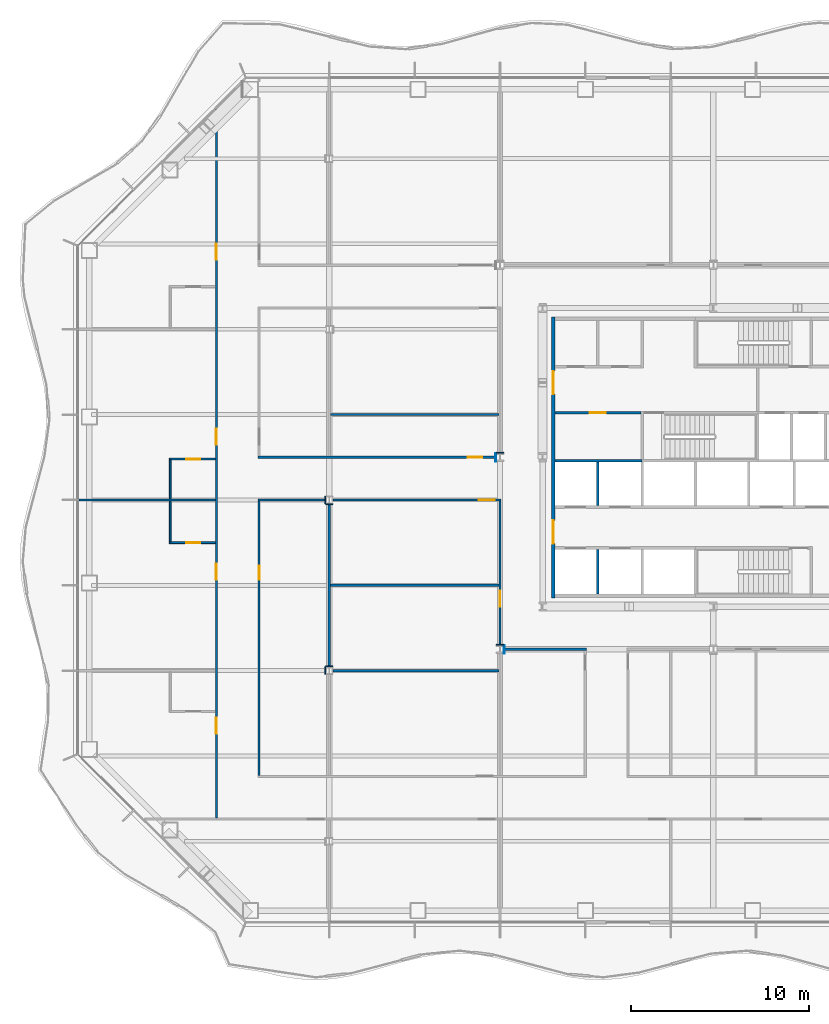
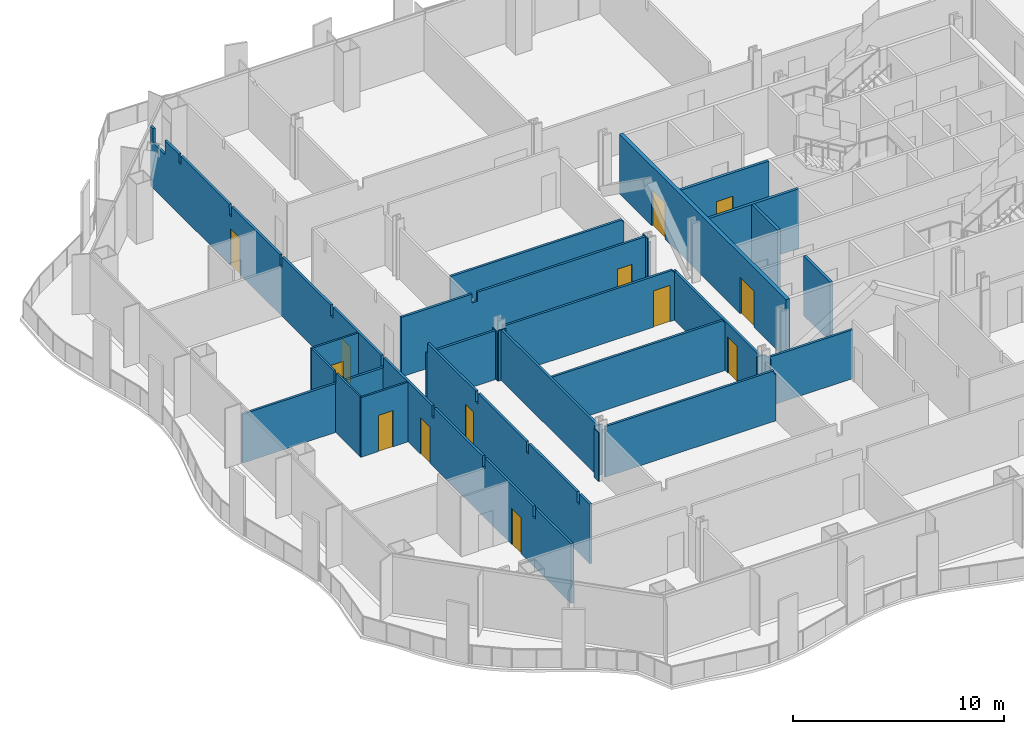
# One storey, part 7 of 18: 29 walls, 13 doors, 13 openings.
"""IFC4 building model written with IfcOpenShell, lengths in metres."""

from ifc_helpers import new_model, si_unit, direction, frame, frame_2d, origin, place, context, subcontext, project, spatial, polyline, rectangle, outline, extrude, material, layer, layer_set, type_object, element, fill, save


model = new_model("IFC4")

# Units and contexts
model_context = context("Model", 3, precision=1e-05, world=origin(), true_north=direction((0.0, 1.0)))
body_context = subcontext(model_context, "Body", "Model", "MODEL_VIEW")
ifc_project = project(units=[si_unit("LENGTHUNIT", "METRE"), si_unit("AREAUNIT", "SQUARE_METRE"), si_unit("VOLUMEUNIT", "CUBIC_METRE"), si_unit("PLANEANGLEUNIT", "RADIAN"), si_unit("MASSUNIT", "GRAM", prefix="KILO")], contexts=[model_context])

# Site, building, storey
site_placement = place(None, origin())
site = spatial("IfcSite", under=ifc_project, at=site_placement, CompositionType="ELEMENT")
building_placement = place(site_placement, origin())
building = spatial("IfcBuilding", under=site, at=building_placement, Name="Cairn Pilgrim Tower", CompositionType="ELEMENT")
storey_placement = place(building_placement, frame((0.0, 0.0, 72.60009765625)))
storey = spatial("IfcBuildingStorey", under=building, at=storey_placement, Name="L16", CompositionType="ELEMENT", Elevation=72.60009765625)

# Wall, openings, doors
ifc_material_1 = material(Name="Concrete C32/40", Category="concrete")
ifc_layer_1 = layer(ifc_material_1, 0.199951171875)
ifc_layer_set_1 = layer_set([ifc_layer_1], Name="CORE OUTER WALL 200 EI 120")
wall_type_1 = type_object("IfcWallType", Name="CORE OUTER WALL 200 EI 120", PredefinedType="SOLIDWALL", material=ifc_layer_set_1)
wall_1_placement = place(storey_placement, frame((-1.800048828125, -5.5, 0.0), z_axis=(0.0, 0.0, 1.0), x_axis=(0.0, 1.0, 0.0)))
wall_1 = element("IfcWall", 1, at=wall_1_placement, inside=storey, type_object=wall_type_1, Name="CW:L16:V12", PredefinedType="SOLIDWALL", context=body_context, shape_type="SweptSolid", body=[
    extrude(rectangle(XDim=15.800048828125, YDim=0.199951171875, at=frame_2d((7.89990234375, 0.0))), origin(), (0.0, 0.0, 1.0), 3.449951171875),
])
opening_1_placement = place(wall_1_placement, frame((3.050048828125, 0.0, 0.0)))
opening_1 = element("IfcOpeningElement", 2, at=opening_1_placement, cuts=wall_1, Name="Opening CD-W1", PredefinedType="OPENING", context=body_context, shape_type="SweptSolid", body=[
    extrude(rectangle(XDim=1.300048828125, YDim=2.10009765625, at=frame_2d((0.64990234375, 1.050048828125))), frame((0.0, 0.10986328125, 0.0), z_axis=(0.0, -1.0, 0.0), x_axis=(1.0, 0.0, 0.0)), (0.0, 0.0, 1.0), 0.219970703125),
])
opening_2_placement = place(wall_1_placement, frame((11.449951171875, 0.0, 0.0)))
opening_2 = element("IfcOpeningElement", 3, at=opening_2_placement, cuts=wall_1, Name="Opening CD-W2", PredefinedType="OPENING", context=body_context, shape_type="SweptSolid", body=[
    extrude(rectangle(XDim=1.300048828125, YDim=2.10009765625, at=frame_2d((0.64990234375, 1.050048828125))), frame((0.0, 0.10986328125, 0.0), z_axis=(0.0, -1.0, 0.0), x_axis=(1.0, 0.0, 0.0)), (0.0, 0.0, 1.0), 0.219970703125),
])
ifc_material_2 = material(Name="Painted steel", Category="steel")
door_type_1 = type_object("IfcDoorType", Name="CORE LOBBY DOOR 1300x2100", OperationType="DOUBLE_DOOR_SINGLE_SWING", PredefinedType="DOOR", material=ifc_material_2)
door_1_placement = place(opening_1_placement, origin())
door_1 = element("IfcDoor", 4, at=door_1_placement, inside=storey, type_object=door_type_1, Name="CD-W1", OperationType="DOUBLE_DOOR_SINGLE_SWING", OverallHeight=2.10009765625, OverallWidth=1.300048828125, PredefinedType="DOOR", context=body_context, shape_type="SweptSolid", body=[
    extrude(rectangle(XDim=1.300048828125, YDim=2.10009765625, at=frame_2d((0.64990234375, 1.050048828125))), frame((0.0, 0.02490234375, 0.0), z_axis=(0.0, -1.0, 0.0), x_axis=(1.0, 0.0, 0.0)), (0.0, 0.0, 1.0), 0.050048828125),
])
fill(opening_1, door_1)
door_2_placement = place(opening_2_placement, origin())
door_2 = element("IfcDoor", 5, at=door_2_placement, inside=storey, type_object=door_type_1, Name="CD-W2", OperationType="DOUBLE_DOOR_SINGLE_SWING", OverallHeight=2.10009765625, OverallWidth=1.300048828125, PredefinedType="DOOR", context=body_context, shape_type="SweptSolid", body=[
    extrude(rectangle(XDim=1.300048828125, YDim=2.10009765625, at=frame_2d((0.64990234375, 1.050048828125))), frame((0.0, 0.02490234375, 0.0), z_axis=(0.0, -1.0, 0.0), x_axis=(1.0, 0.0, 0.0)), (0.0, 0.0, 1.0), 0.050048828125),
])
fill(opening_2, door_2)

# Wall, opening, door
ifc_layer_2 = layer(ifc_material_1, 0.14990234375)
ifc_layer_set_2 = layer_set([ifc_layer_2], Name="CORE PARTITION 150 EI 60")
wall_type_2 = type_object("IfcWallType", Name="CORE PARTITION 150 EI 60", PredefinedType="PARTITIONING", material=ifc_layer_set_2)
wall_2_placement = place(storey_placement, frame((-1.699951171875, 4.89990234375, 0.0), z_axis=(0.0, 0.0, 1.0), x_axis=(1.0, 0.0, 0.0)))
wall_2 = element("IfcWall", 6, at=wall_2_placement, inside=storey, type_object=wall_type_2, Name="CW:L16:H07", PredefinedType="PARTITIONING", context=body_context, shape_type="SweptSolid", body=[
    extrude(rectangle(XDim=4.824951171875, YDim=0.14990234375, at=frame_2d((2.41259765625, 0.0))), origin(), (0.0, 0.0, 1.0), 3.449951171875),
])
opening_3_placement = place(wall_2_placement, frame((1.949951171875, 0.0, 0.0)))
opening_3 = element("IfcOpeningElement", 7, at=opening_3_placement, cuts=wall_2, Name="Opening RD-R3W1", PredefinedType="OPENING", context=body_context, shape_type="SweptSolid", body=[
    extrude(rectangle(XDim=0.89990234375, YDim=2.10009765625, at=frame_2d((0.449951171875, 1.050048828125))), frame((0.0, 0.0849609375, 0.0), z_axis=(0.0, -1.0, 0.0), x_axis=(1.0, 0.0, 0.0)), (0.0, 0.0, 1.0), 0.169921875),
])
door_type_2 = type_object("IfcDoorType", Name="SERVICE ROOM DOOR 900x2100", OperationType="SINGLE_SWING_LEFT", PredefinedType="DOOR", material=ifc_material_2)
door_3_placement = place(opening_3_placement, origin())
door_3 = element("IfcDoor", 8, at=door_3_placement, inside=storey, type_object=door_type_2, Name="RD-R3W1", OperationType="SINGLE_SWING_LEFT", OverallHeight=2.10009765625, OverallWidth=0.89990234375, PredefinedType="DOOR", context=body_context, shape_type="SweptSolid", body=[
    extrude(rectangle(XDim=0.89990234375, YDim=2.10009765625, at=frame_2d((0.449951171875, 1.050048828125))), frame((0.0, 0.02490234375, 0.0), z_axis=(0.0, -1.0, 0.0), x_axis=(1.0, 0.0, 0.0)), (0.0, 0.0, 1.0), 0.050048828125),
])
fill(opening_3, door_3)

# Walls
ifc_layer_3 = layer(ifc_material_1, 0.14990234375)
ifc_layer_set_3 = layer_set([ifc_layer_3], Name="CORE SHAFT WALL 150 EI 120")
wall_type_3 = type_object("IfcWallType", Name="CORE SHAFT WALL 150 EI 120", PredefinedType="SOLIDWALL", material=ifc_layer_set_3)
wall_3_placement = place(storey_placement, frame((-1.699951171875, 2.199951171875, 0.0), z_axis=(0.0, 0.0, 1.0), x_axis=(1.0, 0.0, 0.0)))
element("IfcWall", 9, at=wall_3_placement, inside=storey, type_object=wall_type_3, Name="CW:L16:H05-1", PredefinedType="SOLIDWALL", context=body_context, shape_type="SweptSolid", body=[
    extrude(rectangle(XDim=4.89990234375, YDim=0.14990234375, at=frame_2d((2.449951171875, 0.0))), origin(), (0.0, 0.0, 1.0), 3.449951171875),
])
wall_4_placement = place(storey_placement, frame((0.699951171875, -5.300048828125, 0.0), z_axis=(0.0, 0.0, 1.0), x_axis=(0.0, 1.0, 0.0)))
element("IfcWall", 10, at=wall_4_placement, inside=storey, type_object=wall_type_3, Name="CW:L16:V13", PredefinedType="SOLIDWALL", context=body_context, shape_type="SweptSolid", body=[
    extrude(rectangle(XDim=2.525146484375, YDim=0.14990234375, at=frame_2d((1.2626953125, 0.0))), origin(), (0.0, 0.0, 1.0), 3.449951171875),
])
wall_5_placement = place(storey_placement, frame((0.699951171875, -0.324951171875, 0.0), z_axis=(0.0, 0.0, 1.0), x_axis=(0.0, 1.0, 0.0)))
element("IfcWall", 11, at=wall_5_placement, inside=storey, type_object=wall_type_3, Name="CW:L16:V14", PredefinedType="SOLIDWALL", context=body_context, shape_type="SweptSolid", body=[
    extrude(rectangle(XDim=2.449951171875, YDim=0.14990234375, at=frame_2d((1.22509765625, 0.0))), origin(), (0.0, 0.0, 1.0), 3.449951171875),
])

# Wall, opening, door
ifc_material_3 = material(Name="Gypsum partition")
ifc_layer_4 = layer(ifc_material_3, 0.10009765625)
ifc_layer_set_4 = layer_set([ifc_layer_4], Name="PARTITION 100 DRYWALL")
wall_type_4 = type_object("IfcWallType", Name="PARTITION 100 DRYWALL", PredefinedType="PARTITIONING", material=ifc_layer_set_4)
wall_6_placement = place(storey_placement, frame((-23.39990234375, -2.39990234375, 0.0), z_axis=(0.0, 0.0, 1.0), x_axis=(1.0, 0.0, 0.0)))
wall_6 = element("IfcWall", 12, at=wall_6_placement, inside=storey, type_object=wall_type_4, Name="PARTITION W035", PredefinedType="PARTITIONING", context=body_context, shape_type="SweptSolid", body=[
    extrude(rectangle(XDim=2.58740234375, YDim=0.10009765625, at=frame_2d((1.293701171875, 0.0))), origin(), (0.0, 0.0, 1.0), 3.449951171875),
])
opening_4_placement = place(wall_6_placement, frame((0.949951171875, 0.0, 0.0)))
opening_4 = element("IfcOpeningElement", 13, at=opening_4_placement, cuts=wall_6, Name="Opening 1607E", PredefinedType="OPENING", context=body_context, shape_type="SweptSolid", body=[
    extrude(rectangle(XDim=0.800048828125, YDim=2.10009765625, at=frame_2d((0.39990234375, 1.050048828125))), frame((0.0, 0.06005859375, 0.0), z_axis=(0.0, -1.0, 0.0), x_axis=(1.0, 0.0, 0.0)), (0.0, 0.0, 1.0), 0.1201171875),
])
ifc_material_4 = material(Name="Timber door leaf", Category="wood")
door_type_3 = type_object("IfcDoorType", Name="DOOR 800x2100", OperationType="NOTDEFINED", PredefinedType="DOOR", material=ifc_material_4)
door_4_placement = place(opening_4_placement, origin())
door_4 = element("IfcDoor", 14, at=door_4_placement, inside=storey, type_object=door_type_3, Name="DOOR 1607E", OperationType="SINGLE_SWING_RIGHT", OverallHeight=2.10009765625, OverallWidth=0.800048828125, PredefinedType="DOOR", context=body_context, shape_type="SweptSolid", body=[
    extrude(rectangle(XDim=0.800048828125, YDim=2.10009765625, at=frame_2d((0.39990234375, 1.050048828125))), frame((0.0, 0.02490234375, 0.0), z_axis=(0.0, -1.0, 0.0), x_axis=(1.0, 0.0, 0.0)), (0.0, 0.0, 1.0), 0.050048828125),
])
fill(opening_4, door_4)

# Walls
wall_7_placement = place(storey_placement, frame((-23.35009765625, -2.35009765625, 0.0), z_axis=(0.0, 0.0, 1.0), x_axis=(0.0, 1.0, 0.0)))
element("IfcWall", 15, at=wall_7_placement, inside=storey, type_object=wall_type_4, Name="PARTITION W036", PredefinedType="PARTITIONING", context=body_context, shape_type="SweptSolid", body=[
    extrude(outline(polyline([(0.0, 0.0), (2.28759765625, 0.0), (2.28759765625, 2.829833984375), (2.239990234375, 2.829833984375), (2.238037109375, 3.449951171875), (0.0, 3.449951171875), (0.0, 0.0)])), frame((0.0, 0.050048828125, 0.0), z_axis=(0.0, -1.0, 0.0), x_axis=(1.0, 0.0, 0.0)), (0.0, 0.0, 1.0), 0.10009765625),
])
wall_8_placement = place(storey_placement, frame((-23.35009765625, 0.0625, 0.0), z_axis=(0.0, 0.0, 1.0), x_axis=(0.0, 1.0, 0.0)))
element("IfcWall", 16, at=wall_8_placement, inside=storey, type_object=wall_type_4, Name="PARTITION W040", PredefinedType="PARTITIONING", context=body_context, shape_type="SweptSolid", body=[
    extrude(outline(polyline([(0.0, 0.0), (2.1875, 0.0), (2.1875, 3.449951171875), (0.047607421875, 3.449951171875), (0.04541015625, 2.829833984375), (0.0, 2.829833984375), (0.0, 0.0)])), frame((0.0, 0.050048828125, 0.0), z_axis=(0.0, -1.0, 0.0), x_axis=(1.0, 0.0, 0.0)), (0.0, 0.0, 1.0), 0.10009765625),
])

# Wall, opening, door
wall_9_placement = place(storey_placement, frame((-23.39990234375, 2.300048828125, 0.0), z_axis=(0.0, 0.0, 1.0), x_axis=(1.0, 0.0, 0.0)))
wall_9 = element("IfcWall", 17, at=wall_9_placement, inside=storey, type_object=wall_type_4, Name="PARTITION W041", PredefinedType="PARTITIONING", context=body_context, shape_type="SweptSolid", body=[
    extrude(rectangle(XDim=2.58740234375, YDim=0.10009765625, at=frame_2d((1.293701171875, 0.0))), origin(), (0.0, 0.0, 1.0), 3.449951171875),
])
opening_5_placement = place(wall_9_placement, frame((0.949951171875, 0.0, 0.0)))
opening_5 = element("IfcOpeningElement", 18, at=opening_5_placement, cuts=wall_9, Name="Opening 1608E", PredefinedType="OPENING", context=body_context, shape_type="SweptSolid", body=[
    extrude(rectangle(XDim=0.800048828125, YDim=2.10009765625, at=frame_2d((0.39990234375, 1.050048828125))), frame((0.0, 0.06005859375, 0.0), z_axis=(0.0, -1.0, 0.0), x_axis=(1.0, 0.0, 0.0)), (0.0, 0.0, 1.0), 0.1201171875),
])
door_5_placement = place(opening_5_placement, frame((0.800048828125, 0.0, 0.0), z_axis=(0.0, 0.0, 1.0), x_axis=(-1.0, 0.0, 0.0)))
door_5 = element("IfcDoor", 19, at=door_5_placement, inside=storey, type_object=door_type_3, Name="DOOR 1608E", OperationType="SINGLE_SWING_RIGHT", OverallHeight=2.10009765625, OverallWidth=0.800048828125, PredefinedType="DOOR", context=body_context, shape_type="SweptSolid", body=[
    extrude(rectangle(XDim=0.800048828125, YDim=2.10009765625, at=frame_2d((0.39990234375, 1.050048828125))), frame((0.0, 0.02490234375, 0.0), z_axis=(0.0, -1.0, 0.0), x_axis=(1.0, 0.0, 0.0)), (0.0, 0.0, 1.0), 0.050048828125),
])
fill(opening_5, door_5)

# Wall, openings, doors
ifc_layer_5 = layer(ifc_material_3, 0.125)
ifc_layer_set_5 = layer_set([ifc_layer_5], Name="PARTITION 125 DRYWALL EI 60")
wall_type_5 = type_object("IfcWallType", Name="PARTITION 125 DRYWALL EI 60", PredefinedType="PARTITIONING", material=ifc_layer_set_5)
wall_10_placement = place(storey_placement, frame((-20.75, -17.887451171875, 0.0), z_axis=(0.0, 0.0, 1.0), x_axis=(0.0, 1.0, 0.0)))
wall_10 = element("IfcWall", 20, at=wall_10_placement, inside=storey, type_object=wall_type_5, Name="PARTITION W009", PredefinedType="PARTITIONING", context=body_context, shape_type="SweptSolid", body=[
    extrude(outline(polyline([(0.0, 0.0), (39.8759765625, 0.0), (39.876220703125, 3.449951171875), (39.622314453125, 3.449951171875), (39.6201171875, 2.6298828125), (38.507080078125, 2.6298828125), (38.505126953125, 3.449951171875), (37.1826171875, 3.449951171875), (37.180419921875, 2.97998046875), (36.992431640625, 2.97998046875), (36.990478515625, 3.449951171875), (32.3974609375, 3.449951171875), (32.3955078125, 2.829833984375), (32.177490234375, 2.829833984375), (32.175537109375, 3.449951171875), (27.597412109375, 3.449951171875), (27.595458984375, 2.829833984375), (27.37744140625, 2.829833984375), (27.37548828125, 3.449951171875), (22.797607421875, 3.449951171875), (22.79541015625, 2.829833984375), (22.577392578125, 2.829833984375), (22.575439453125, 3.449951171875), (17.99755859375, 3.449951171875), (17.99560546875, 2.829833984375), (17.777587890625, 2.829833984375), (17.775390625, 3.449951171875), (13.197509765625, 3.449951171875), (13.195556640625, 2.829833984375), (12.9775390625, 2.829833984375), (12.9755859375, 3.449951171875), (8.3974609375, 3.449951171875), (8.3955078125, 2.829833984375), (8.177490234375, 2.829833984375), (8.175537109375, 3.449951171875), (3.597412109375, 3.449951171875), (3.595458984375, 2.829833984375), (3.37744140625, 2.829833984375), (3.37548828125, 3.449951171875), (0.0, 3.449951171875), (0.0, 0.0)])), frame((0.0, 0.0625, 0.0), z_axis=(0.0, -1.0, 0.0), x_axis=(1.0, 0.0, 0.0)), (0.0, 0.0, 1.0), 0.125),
])
opening_6_placement = place(wall_10_placement, frame((4.737548828125, 0.0, 0.0)))
opening_6 = element("IfcOpeningElement", 21, at=opening_6_placement, cuts=wall_10, Name="Opening 1606", PredefinedType="OPENING", context=body_context, shape_type="SweptSolid", body=[
    extrude(rectangle(XDim=0.89990234375, YDim=2.10009765625, at=frame_2d((0.449951171875, 1.050048828125))), frame((0.0, 0.072509765625, 0.0), z_axis=(0.0, -1.0, 0.0), x_axis=(1.0, 0.0, 0.0)), (0.0, 0.0, 1.0), 0.14501953125),
])
opening_7_placement = place(wall_10_placement, frame((13.387451171875, 0.0, 0.0)))
opening_7 = element("IfcOpeningElement", 22, at=opening_7_placement, cuts=wall_10, Name="Opening 1607", PredefinedType="OPENING", context=body_context, shape_type="SweptSolid", body=[
    extrude(rectangle(XDim=0.89990234375, YDim=2.10009765625, at=frame_2d((0.449951171875, 1.050048828125))), frame((0.0, 0.072509765625, 0.0), z_axis=(0.0, -1.0, 0.0), x_axis=(1.0, 0.0, 0.0)), (0.0, 0.0, 1.0), 0.14501953125),
])
opening_8_placement = place(wall_10_placement, frame((20.987548828125, 0.0, 0.0)))
opening_8 = element("IfcOpeningElement", 23, at=opening_8_placement, cuts=wall_10, Name="Opening 1608", PredefinedType="OPENING", context=body_context, shape_type="SweptSolid", body=[
    extrude(rectangle(XDim=0.89990234375, YDim=2.10009765625, at=frame_2d((0.449951171875, 1.050048828125))), frame((0.0, 0.072509765625, 0.0), z_axis=(0.0, -1.0, 0.0), x_axis=(1.0, 0.0, 0.0)), (0.0, 0.0, 1.0), 0.14501953125),
])
opening_9_placement = place(wall_10_placement, frame((31.387451171875, 0.0, 0.0)))
opening_9 = element("IfcOpeningElement", 24, at=opening_9_placement, cuts=wall_10, Name="Opening 1609", PredefinedType="OPENING", context=body_context, shape_type="SweptSolid", body=[
    extrude(rectangle(XDim=0.89990234375, YDim=2.10009765625, at=frame_2d((0.449951171875, 1.050048828125))), frame((0.0, 0.072509765625, 0.0), z_axis=(0.0, -1.0, 0.0), x_axis=(1.0, 0.0, 0.0)), (0.0, 0.0, 1.0), 0.14501953125),
])
ifc_material_5 = material(Name="Steel-faced fire door leaf", Category="steel")
door_type_4 = type_object("IfcDoorType", Name="FIRE DOOR 900x2100 FD30S", OperationType="NOTDEFINED", PredefinedType="DOOR", material=ifc_material_5)
door_6_placement = place(opening_6_placement, origin())
door_6 = element("IfcDoor", 25, at=door_6_placement, inside=storey, type_object=door_type_4, Name="DOOR 1606", OperationType="SINGLE_SWING_LEFT", OverallHeight=2.10009765625, OverallWidth=0.89990234375, PredefinedType="DOOR", context=body_context, shape_type="SweptSolid", body=[
    extrude(rectangle(XDim=0.89990234375, YDim=2.10009765625, at=frame_2d((0.449951171875, 1.050048828125))), frame((0.0, 0.02490234375, 0.0), z_axis=(0.0, -1.0, 0.0), x_axis=(1.0, 0.0, 0.0)), (0.0, 0.0, 1.0), 0.050048828125),
])
fill(opening_6, door_6)
door_7_placement = place(opening_7_placement, origin())
door_7 = element("IfcDoor", 26, at=door_7_placement, inside=storey, type_object=door_type_4, Name="DOOR 1607", OperationType="SINGLE_SWING_LEFT", OverallHeight=2.10009765625, OverallWidth=0.89990234375, PredefinedType="DOOR", context=body_context, shape_type="SweptSolid", body=[
    extrude(rectangle(XDim=0.89990234375, YDim=2.10009765625, at=frame_2d((0.449951171875, 1.050048828125))), frame((0.0, 0.02490234375, 0.0), z_axis=(0.0, -1.0, 0.0), x_axis=(1.0, 0.0, 0.0)), (0.0, 0.0, 1.0), 0.050048828125),
])
fill(opening_7, door_7)
door_8_placement = place(opening_8_placement, origin())
door_8 = element("IfcDoor", 27, at=door_8_placement, inside=storey, type_object=door_type_4, Name="DOOR 1608", OperationType="SINGLE_SWING_LEFT", OverallHeight=2.10009765625, OverallWidth=0.89990234375, PredefinedType="DOOR", context=body_context, shape_type="SweptSolid", body=[
    extrude(rectangle(XDim=0.89990234375, YDim=2.10009765625, at=frame_2d((0.449951171875, 1.050048828125))), frame((0.0, 0.02490234375, 0.0), z_axis=(0.0, -1.0, 0.0), x_axis=(1.0, 0.0, 0.0)), (0.0, 0.0, 1.0), 0.050048828125),
])
fill(opening_8, door_8)
door_9_placement = place(opening_9_placement, origin())
door_9 = element("IfcDoor", 28, at=door_9_placement, inside=storey, type_object=door_type_4, Name="DOOR 1609", OperationType="SINGLE_SWING_LEFT", OverallHeight=2.10009765625, OverallWidth=0.89990234375, PredefinedType="DOOR", context=body_context, shape_type="SweptSolid", body=[
    extrude(rectangle(XDim=0.89990234375, YDim=2.10009765625, at=frame_2d((0.449951171875, 1.050048828125))), frame((0.0, 0.02490234375, 0.0), z_axis=(0.0, -1.0, 0.0), x_axis=(1.0, 0.0, 0.0)), (0.0, 0.0, 1.0), 0.050048828125),
])
fill(opening_9, door_9)

# Wall, opening, door
wall_11_placement = place(storey_placement, frame((-18.35009765625, -15.487548828125, 0.0), z_axis=(0.0, 0.0, 1.0), x_axis=(0.0, 1.0, 0.0)))
wall_11 = element("IfcWall", 29, at=wall_11_placement, inside=storey, type_object=wall_type_5, Name="PARTITION W013", PredefinedType="PARTITIONING", context=body_context, shape_type="SweptSolid", body=[
    extrude(outline(polyline([(0.0, 0.0), (15.425048828125, 0.0), (15.425048828125, 2.829833984375), (15.37744140625, 2.829833984375), (15.37548828125, 3.449951171875), (10.797607421875, 3.449951171875), (10.79541015625, 2.829833984375), (10.577392578125, 2.829833984375), (10.575439453125, 3.449951171875), (5.99755859375, 3.449951171875), (5.99560546875, 2.829833984375), (5.777587890625, 2.829833984375), (5.775390625, 3.449951171875), (1.197509765625, 3.449951171875), (1.195556640625, 2.829833984375), (0.9775390625, 2.829833984375), (0.9755859375, 3.449951171875), (0.0, 3.449951171875), (0.0, 0.0)])), frame((0.0, 0.0625, 0.0), z_axis=(0.0, -1.0, 0.0), x_axis=(1.0, 0.0, 0.0)), (0.0, 0.0, 1.0), 0.125),
])
opening_10_placement = place(wall_11_placement, frame((10.987548828125, 0.0, 0.0)))
opening_10 = element("IfcOpeningElement", 30, at=opening_10_placement, cuts=wall_11, Name="Opening 1622", PredefinedType="OPENING", context=body_context, shape_type="SweptSolid", body=[
    extrude(rectangle(XDim=0.800048828125, YDim=2.10009765625, at=frame_2d((0.39990234375, 1.050048828125))), frame((0.0, 0.072509765625, 0.0), z_axis=(0.0, -1.0, 0.0), x_axis=(1.0, 0.0, 0.0)), (0.0, 0.0, 1.0), 0.14501953125),
])
door_type_5 = type_object("IfcDoorType", Name="FIRE DOOR 800x2100 FD30S", OperationType="NOTDEFINED", PredefinedType="DOOR", material=ifc_material_5)
door_10_placement = place(opening_10_placement, frame((0.800048828125, 0.0, 0.0), z_axis=(0.0, 0.0, 1.0), x_axis=(-1.0, 0.0, 0.0)))
door_10 = element("IfcDoor", 31, at=door_10_placement, inside=storey, type_object=door_type_5, Name="DOOR 1622", OperationType="SINGLE_SWING_LEFT", OverallHeight=2.10009765625, OverallWidth=0.800048828125, PredefinedType="DOOR", context=body_context, shape_type="SweptSolid", body=[
    extrude(rectangle(XDim=0.800048828125, YDim=2.10009765625, at=frame_2d((0.39990234375, 1.050048828125))), frame((0.0, 0.02490234375, 0.0), z_axis=(0.0, -1.0, 0.0), x_axis=(1.0, 0.0, 0.0)), (0.0, 0.0, 1.0), 0.050048828125),
])
fill(opening_10, door_10)

# Walls
wall_12_placement = place(storey_placement, frame((-14.195556640625, -9.60009765625, 0.0), z_axis=(0.0, 0.0, 1.0), x_axis=(1.0, 0.0, 0.0)))
element("IfcWall", 32, at=wall_12_placement, inside=storey, type_object=wall_type_5, Name="PARTITION W025", PredefinedType="PARTITIONING", context=body_context, shape_type="SweptSolid", body=[
    extrude(outline(polyline([(0.0, 0.0), (9.3330078125, 0.0), (9.3330078125, 2.72998046875), (9.24560546875, 2.72998046875), (9.243408203125, 2.929931640625), (0.0, 2.929931640625), (0.0, 0.0)])), frame((0.0, 0.0625, 0.0), z_axis=(0.0, -1.0, 0.0), x_axis=(1.0, 0.0, 0.0)), (0.0, 0.0, 1.0), 0.125),
])
wall_13_placement = place(storey_placement, frame((-14.39990234375, -9.387451171875, 0.0), z_axis=(0.0, 0.0, 1.0), x_axis=(0.0, 1.0, 0.0)))
element("IfcWall", 33, at=wall_13_placement, inside=storey, type_object=wall_type_5, Name="PARTITION W026", PredefinedType="PARTITIONING", context=body_context, shape_type="SweptSolid", body=[
    extrude(rectangle(XDim=9.175048828125, YDim=0.125, at=frame_2d((4.58740234375, 0.0))), origin(), (0.0, 0.0, 1.0), 2.929931640625),
])
wall_14_placement = place(storey_placement, frame((-4.587890625, -8.39990234375, 0.0), z_axis=(0.0, 0.0, 1.0), x_axis=(1.0, 0.0, 0.0)))
element("IfcWall", 34, at=wall_14_placement, inside=storey, type_object=wall_type_5, Name="PARTITION W027", PredefinedType="PARTITIONING", context=body_context, shape_type="SweptSolid", body=[
    extrude(rectangle(XDim=4.650390625, YDim=0.125, at=frame_2d((2.3251953125, 0.0))), origin(), (0.0, 0.0, 1.0), 2.829833984375),
])

# Wall, opening, door
wall_15_placement = place(storey_placement, frame((-4.800048828125, -8.1630859375, 0.0), z_axis=(0.0, 0.0, 1.0), x_axis=(0.0, 1.0, 0.0)))
wall_15 = element("IfcWall", 35, at=wall_15_placement, inside=storey, type_object=wall_type_5, Name="PARTITION W030", PredefinedType="PARTITIONING", context=body_context, shape_type="SweptSolid", body=[
    extrude(rectangle(XDim=8.1005859375, YDim=0.125, at=frame_2d((4.05029296875, 0.0))), origin(), (0.0, 0.0, 1.0), 2.829833984375),
])
opening_11_placement = place(wall_15_placement, frame((2.1630859375, 0.0, 0.0)))
opening_11 = element("IfcOpeningElement", 36, at=opening_11_placement, cuts=wall_15, Name="Opening 1618", PredefinedType="OPENING", context=body_context, shape_type="SweptSolid", body=[
    extrude(rectangle(XDim=0.89990234375, YDim=2.10009765625, at=frame_2d((0.449951171875, 1.050048828125))), frame((0.0, 0.072509765625, 0.0), z_axis=(0.0, -1.0, 0.0), x_axis=(1.0, 0.0, 0.0)), (0.0, 0.0, 1.0), 0.14501953125),
])
door_11_placement = place(opening_11_placement, origin())
door_11 = element("IfcDoor", 37, at=door_11_placement, inside=storey, type_object=door_type_4, Name="DOOR 1618", OperationType="SINGLE_SWING_LEFT", OverallHeight=2.10009765625, OverallWidth=0.89990234375, PredefinedType="DOOR", context=body_context, shape_type="SweptSolid", body=[
    extrude(rectangle(XDim=0.89990234375, YDim=2.10009765625, at=frame_2d((0.449951171875, 1.050048828125))), frame((0.0, 0.02490234375, 0.0), z_axis=(0.0, -1.0, 0.0), x_axis=(1.0, 0.0, 0.0)), (0.0, 0.0, 1.0), 0.050048828125),
])
fill(opening_11, door_11)

# Walls
wall_16_placement = place(storey_placement, frame((-14.33740234375, -4.800048828125, 0.0), z_axis=(0.0, 0.0, 1.0), x_axis=(1.0, 0.0, 0.0)))
element("IfcWall", 38, at=wall_16_placement, inside=storey, type_object=wall_type_5, Name="PARTITION W032", PredefinedType="PARTITIONING", context=body_context, shape_type="SweptSolid", body=[
    extrude(outline(polyline([(0.0, 0.0), (9.474853515625, 0.0), (9.47509765625, 2.829833984375), (9.387451171875, 2.829833984375), (9.385498046875, 2.929931640625), (0.0, 2.929931640625), (0.0, 0.0)])), frame((0.0, 0.0625, 0.0), z_axis=(0.0, -1.0, 0.0), x_axis=(1.0, 0.0, 0.0)), (0.0, 0.0, 1.0), 0.125),
])
wall_17_placement = place(storey_placement, frame((-28.489990234375, 0.0, 0.0), z_axis=(0.0, 0.0, 1.0), x_axis=(1.0, 0.0, 0.0)))
element("IfcWall", 39, at=wall_17_placement, inside=storey, type_object=wall_type_5, Name="PARTITION W037", PredefinedType="PARTITIONING", context=body_context, shape_type="SweptSolid", body=[
    extrude(rectangle(XDim=7.677490234375, YDim=0.125, at=frame_2d((3.8388671875, 0.0))), origin(), (0.0, 0.0, 1.0), 2.829833984375),
])
wall_18_placement = place(storey_placement, frame((-18.41259765625, 0.0, 0.0), z_axis=(0.0, 0.0, 1.0), x_axis=(1.0, 0.0, 0.0)))
element("IfcWall", 40, at=wall_18_placement, inside=storey, type_object=wall_type_5, Name="PARTITION W038", PredefinedType="PARTITIONING", context=body_context, shape_type="SweptSolid", body=[
    extrude(rectangle(XDim=3.80810546875, YDim=0.125, at=frame_2d((1.904052734375, 0.0))), origin(), (0.0, 0.0, 1.0), 2.829833984375),
])

# Wall, opening, door
wall_19_placement = place(storey_placement, frame((-14.195556640625, 0.0, 0.0), z_axis=(0.0, 0.0, 1.0), x_axis=(1.0, 0.0, 0.0)))
wall_19 = element("IfcWall", 41, at=wall_19_placement, inside=storey, type_object=wall_type_5, Name="PARTITION W039", PredefinedType="PARTITIONING", context=body_context, shape_type="SweptSolid", body=[
    extrude(outline(polyline([(0.0, 0.0), (9.4580078125, 0.0), (9.4580078125, 2.829833984375), (9.24560546875, 2.829833984375), (9.243408203125, 2.929931640625), (0.0, 2.929931640625), (0.0, 0.0)])), frame((0.0, 0.0625, 0.0), z_axis=(0.0, -1.0, 0.0), x_axis=(1.0, 0.0, 0.0)), (0.0, 0.0, 1.0), 0.125),
])
opening_12_placement = place(wall_19_placement, frame((8.195556640625, 0.0, 0.0)))
opening_12 = element("IfcOpeningElement", 42, at=opening_12_placement, cuts=wall_19, Name="Opening 1619", PredefinedType="OPENING", context=body_context, shape_type="SweptSolid", body=[
    extrude(rectangle(XDim=0.89990234375, YDim=2.10009765625, at=frame_2d((0.449951171875, 1.050048828125))), frame((0.0, 0.072509765625, 0.0), z_axis=(0.0, -1.0, 0.0), x_axis=(1.0, 0.0, 0.0)), (0.0, 0.0, 1.0), 0.14501953125),
])
door_12_placement = place(opening_12_placement, frame((0.89990234375, 0.0, 0.0), z_axis=(0.0, 0.0, 1.0), x_axis=(-1.0, 0.0, 0.0)))
door_12 = element("IfcDoor", 43, at=door_12_placement, inside=storey, type_object=door_type_4, Name="DOOR 1619", OperationType="SINGLE_SWING_RIGHT", OverallHeight=2.10009765625, OverallWidth=0.89990234375, PredefinedType="DOOR", context=body_context, shape_type="SweptSolid", body=[
    extrude(rectangle(XDim=0.89990234375, YDim=2.10009765625, at=frame_2d((0.449951171875, 1.050048828125))), frame((0.0, 0.02490234375, 0.0), z_axis=(0.0, -1.0, 0.0), x_axis=(1.0, 0.0, 0.0)), (0.0, 0.0, 1.0), 0.050048828125),
])
fill(opening_12, door_12)

wall_20_placement = place(storey_placement, frame((-18.41259765625, 2.39990234375, 0.0), z_axis=(0.0, 0.0, 1.0), x_axis=(1.0, 0.0, 0.0)))
wall_20 = element("IfcWall", 44, at=wall_20_placement, inside=storey, type_object=wall_type_5, Name="PARTITION W042", PredefinedType="PARTITIONING", context=body_context, shape_type="SweptSolid", body=[
    extrude(outline(polyline([(0.0, 0.0), (13.400634765625, 0.0), (13.400390625, 3.449951171875), (4.16259765625, 3.449951171875), (4.160400390625, 2.929931640625), (3.862548828125, 2.929931640625), (3.860595703125, 3.449951171875), (0.0, 3.449951171875), (0.0, 0.0)])), frame((0.0, 0.0625, 0.0), z_axis=(0.0, -1.0, 0.0), x_axis=(1.0, 0.0, 0.0)), (0.0, 0.0, 1.0), 0.125),
])
opening_13_placement = place(wall_20_placement, frame((11.8125, 0.0, 0.0)))
opening_13 = element("IfcOpeningElement", 45, at=opening_13_placement, cuts=wall_20, Name="Opening 1620", PredefinedType="OPENING", context=body_context, shape_type="SweptSolid", body=[
    extrude(rectangle(XDim=0.800048828125, YDim=2.10009765625, at=frame_2d((0.39990234375, 1.050048828125))), frame((0.0, 0.072509765625, 0.0), z_axis=(0.0, -1.0, 0.0), x_axis=(1.0, 0.0, 0.0)), (0.0, 0.0, 1.0), 0.14501953125),
])
door_13_placement = place(opening_13_placement, origin())
door_13 = element("IfcDoor", 46, at=door_13_placement, inside=storey, type_object=door_type_5, Name="DOOR 1620", OperationType="SINGLE_SWING_LEFT", OverallHeight=2.10009765625, OverallWidth=0.800048828125, PredefinedType="DOOR", context=body_context, shape_type="SweptSolid", body=[
    extrude(rectangle(XDim=0.800048828125, YDim=2.10009765625, at=frame_2d((0.39990234375, 1.050048828125))), frame((0.0, 0.02490234375, 0.0), z_axis=(0.0, -1.0, 0.0), x_axis=(1.0, 0.0, 0.0)), (0.0, 0.0, 1.0), 0.050048828125),
])
fill(opening_13, door_13)

# Walls
wall_21_placement = place(storey_placement, frame((-14.33740234375, 4.800048828125, 0.0), z_axis=(0.0, 0.0, 1.0), x_axis=(1.0, 0.0, 0.0)))
element("IfcWall", 47, at=wall_21_placement, inside=storey, type_object=wall_type_5, Name="PARTITION W048", PredefinedType="PARTITIONING", context=body_context, shape_type="SweptSolid", body=[
    extrude(outline(polyline([(0.0, 0.0), (9.474853515625, 0.0), (9.47509765625, 2.829833984375), (9.387451171875, 2.829833984375), (9.385498046875, 2.929931640625), (0.0, 2.929931640625), (0.0, 0.0)])), frame((0.0, 0.0625, 0.0), z_axis=(0.0, -1.0, 0.0), x_axis=(1.0, 0.0, 0.0)), (0.0, 0.0, 1.0), 0.125),
])
ifc_layer_6 = layer(ifc_material_3, 0.050048828125)
ifc_layer_set_6 = layer_set([ifc_layer_6], Name="PARTITION 50 DRYWALL EI 60")
wall_type_6 = type_object("IfcWallType", Name="PARTITION 50 DRYWALL EI 60", PredefinedType="PARTITIONING", material=ifc_layer_set_6)
wall_22_placement = place(storey_placement, frame((-14.62939453125, -9.8125, 0.0), z_axis=(0.0, 0.0, 1.0), x_axis=(0.0, 1.0, 0.0)))
element("IfcWall", 48, at=wall_22_placement, inside=storey, type_object=wall_type_6, Name="COLUMN CASING WC06", PredefinedType="PARTITIONING", context=body_context, shape_type="SweptSolid", body=[
    extrude(rectangle(XDim=0.425048828125, YDim=0.050048828125, at=frame_2d((0.21240234375, 0.0))), origin(), (0.0, 0.0, 1.0), 2.829833984375),
])
wall_23_placement = place(storey_placement, frame((-14.62939453125, -0.21240234375, 0.0), z_axis=(0.0, 0.0, 1.0), x_axis=(0.0, 1.0, 0.0)))
element("IfcWall", 49, at=wall_23_placement, inside=storey, type_object=wall_type_6, Name="COLUMN CASING WC07", PredefinedType="PARTITIONING", context=body_context, shape_type="SweptSolid", body=[
    extrude(rectangle(XDim=0.4248046875, YDim=0.050048828125, at=frame_2d((0.21240234375, 0.0))), origin(), (0.0, 0.0, 1.0), 2.829833984375),
])
wall_24_placement = place(storey_placement, frame((-4.56298828125, -8.636962890625, 0.0), z_axis=(0.0, 0.0, 1.0), x_axis=(0.0, 1.0, 0.0)))
element("IfcWall", 50, at=wall_24_placement, inside=storey, type_object=wall_type_6, Name="COLUMN CASING WC08", PredefinedType="PARTITIONING", context=body_context, shape_type="SweptSolid", body=[
    extrude(rectangle(XDim=0.473876953125, YDim=0.050048828125, at=frame_2d((0.23681640625, 0.0))), origin(), (0.0, 0.0, 1.0), 2.829833984375),
])
wall_25_placement = place(storey_placement, frame((-14.6044921875, -9.362548828125, 0.0), z_axis=(0.0, 0.0, 1.0), x_axis=(1.0, 0.0, 0.0)))
element("IfcWall", 51, at=wall_25_placement, inside=storey, type_object=wall_type_6, Name="COLUMN CASING WC09", PredefinedType="PARTITIONING", context=body_context, shape_type="SweptSolid", body=[
    extrude(rectangle(XDim=0.408935546875, YDim=0.050048828125, at=frame_2d((0.20458984375, 0.0))), origin(), (0.0, 0.0, 1.0), 2.929931640625),
])
wall_26_placement = place(storey_placement, frame((-5.011962890625, -8.137939453125, 0.0), z_axis=(0.0, 0.0, 1.0), x_axis=(1.0, 0.0, 0.0)))
element("IfcWall", 52, at=wall_26_placement, inside=storey, type_object=wall_type_6, Name="COLUMN CASING WC10", PredefinedType="PARTITIONING", context=body_context, shape_type="SweptSolid", body=[
    extrude(rectangle(XDim=0.424072265625, YDim=0.050048828125, at=frame_2d((0.2119140625, 0.0))), origin(), (0.0, 0.0, 1.0), 2.829833984375),
])
wall_27_placement = place(storey_placement, frame((-14.6044921875, -0.237548828125, 0.0), z_axis=(0.0, 0.0, 1.0), x_axis=(1.0, 0.0, 0.0)))
element("IfcWall", 53, at=wall_27_placement, inside=storey, type_object=wall_type_6, Name="COLUMN CASING WC14", PredefinedType="PARTITIONING", context=body_context, shape_type="SweptSolid", body=[
    extrude(rectangle(XDim=0.408935546875, YDim=0.050048828125, at=frame_2d((0.20458984375, 0.0))), origin(), (0.0, 0.0, 1.0), 2.929931640625),
])
wall_28_placement = place(storey_placement, frame((-5.011962890625, 2.662109375, 0.0), z_axis=(0.0, 0.0, 1.0), x_axis=(1.0, 0.0, 0.0)))
element("IfcWall", 54, at=wall_28_placement, inside=storey, type_object=wall_type_6, Name="COLUMN CASING WC15", PredefinedType="PARTITIONING", context=body_context, shape_type="SweptSolid", body=[
    extrude(rectangle(XDim=0.424072265625, YDim=0.050048828125, at=frame_2d((0.2119140625, 0.0))), origin(), (0.0, 0.0, 1.0), 2.829833984375),
])
wall_29_placement = place(storey_placement, frame((-5.037109375, 2.1630859375, 0.0), z_axis=(0.0, 0.0, 1.0), x_axis=(0.0, 1.0, 0.0)))
element("IfcWall", 55, at=wall_29_placement, inside=storey, type_object=wall_type_6, Name="COLUMN CASING WC17", PredefinedType="PARTITIONING", context=body_context, shape_type="SweptSolid", body=[
    extrude(rectangle(XDim=0.473876953125, YDim=0.050048828125, at=frame_2d((0.23681640625, 0.0))), origin(), (0.0, 0.0, 1.0), 3.449951171875),
])

save(model, "model.ifc")
